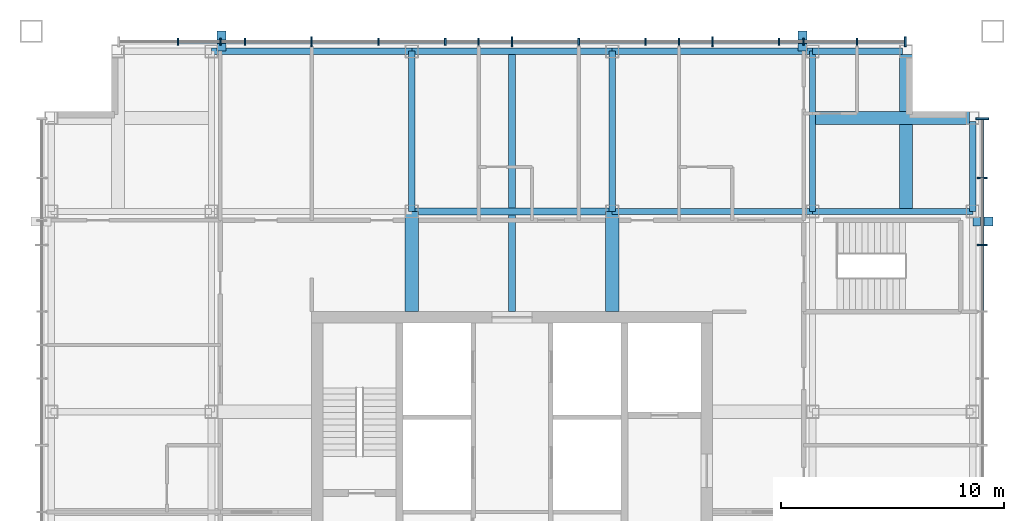
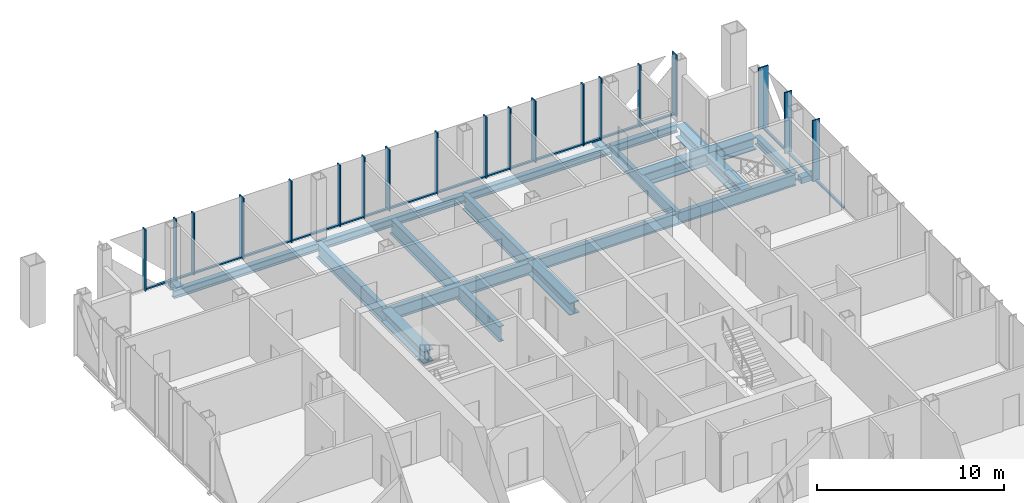
# One storey, part 5 of 11: 40 members, 16 beams, 2 elements without a shape of their own.
"""IFC4 building model written with IfcOpenShell, lengths in metres."""

from ifc_helpers import new_model, si_unit, direction, frame, origin, origin_2d, place, context, subcontext, project, spatial, rectangle, hollow_rectangle, i_section, extrude, material, layer, layer_set, material_profile, profile_set, type_object, element, aggregate, save


model = new_model("IFC4")

# Units and contexts
model_context = context("Model", 3, precision=1e-05, world=origin(), true_north=direction((0.0, 1.0)))
body_context = subcontext(model_context, "Body", "Model", "MODEL_VIEW")
ifc_project = project(units=[si_unit("LENGTHUNIT", "METRE"), si_unit("AREAUNIT", "SQUARE_METRE"), si_unit("VOLUMEUNIT", "CUBIC_METRE"), si_unit("PLANEANGLEUNIT", "RADIAN"), si_unit("MASSUNIT", "GRAM", prefix="KILO")], contexts=[model_context])

# Site, building, storey
site_placement = place(None, origin())
site = spatial("IfcSite", under=ifc_project, at=site_placement, CompositionType="ELEMENT")
building_placement = place(site_placement, origin())
building = spatial("IfcBuilding", under=site, at=building_placement, Name="Malebo Sky Hospital", CompositionType="ELEMENT")
storey_placement = place(building_placement, frame((0.0, 0.0, 282.0)))
storey = spatial("IfcBuildingStorey", under=building, at=storey_placement, Name="L68", CompositionType="ELEMENT", Elevation=282.0)

# Curtain wall, members
ifc_material_1 = material(Name="Anodised aluminium, natural silver", Category="aluminium")
ifc_layer_1 = layer(ifc_material_1, 0.25)
ifc_layer_set_1 = layer_set([ifc_layer_1], Name="WARD CURTAIN WALL NORTH AND SOUTH")
curtain_wall_type_1 = type_object("IfcCurtainWallType", Name="WARD CURTAIN WALL NORTH AND SOUTH", PredefinedType="NOTDEFINED", material=ifc_layer_set_1)
curtain_wall_1_placement = place(storey_placement, origin())
curtain_wall_1 = element("IfcCurtainWall", 1, at=curtain_wall_1_placement, inside=storey, type_object=curtain_wall_type_1, Name="NS curtain wall N", PredefinedType="NOTDEFINED")
ifc_material_profile_1 = material_profile(ifc_material_1, rectangle(XDim=0.14990234375, YDim=0.10009765625, at=origin_2d()), Name="ALUMINIUM TRANSOM 150x100")
ifc_profile_set_1 = profile_set([ifc_material_profile_1], Name="Anodised aluminium, natural silver")
member_type_1 = type_object("IfcMemberType", Name="ALUMINIUM TRANSOM 150x100", PredefinedType="USERDEFINED", material=ifc_profile_set_1)
member_1_placement = place(storey_placement, frame((45.03759765625, 83.125, 0.050048828125), z_axis=(1.0, 0.0, 0.0), x_axis=(0.0, 1.0, 0.0)))
member_1 = element("IfcMember", 2, at=member_1_placement, type_object=member_type_1, Name="Transom 2", ObjectType="TRANSOM", PredefinedType="USERDEFINED", context=body_context, shape_type="SweptSolid", body=[
    extrude(rectangle(XDim=0.14990234375, YDim=0.10009765625, at=origin_2d()), origin(), (0.0, 0.0, 1.0), 1.824951171875),
])
member_2_placement = place(storey_placement, frame((46.9375, 83.125, 0.050048828125), z_axis=(1.0, 0.0, 0.0), x_axis=(0.0, 1.0, 0.0)))
member_2 = element("IfcMember", 3, at=member_2_placement, type_object=member_type_1, Name="Transom 3", ObjectType="TRANSOM", PredefinedType="USERDEFINED", context=body_context, shape_type="SweptSolid", body=[
    extrude(rectangle(XDim=0.14990234375, YDim=0.10009765625, at=origin_2d()), origin(), (0.0, 0.0, 1.0), 1.02490234375),
])
member_3_placement = place(storey_placement, frame((48.03759765625, 83.125, 0.050048828125), z_axis=(1.0, 0.0, 0.0), x_axis=(0.0, 1.0, 0.0)))
member_3 = element("IfcMember", 4, at=member_3_placement, type_object=member_type_1, Name="Transom 4", ObjectType="TRANSOM", PredefinedType="USERDEFINED", context=body_context, shape_type="SweptSolid", body=[
    extrude(rectangle(XDim=0.14990234375, YDim=0.10009765625, at=origin_2d()), origin(), (0.0, 0.0, 1.0), 2.9248046875),
])
member_4_placement = place(storey_placement, frame((51.03759765625, 83.125, 0.050048828125), z_axis=(1.0, 0.0, 0.0), x_axis=(0.0, 1.0, 0.0)))
member_4 = element("IfcMember", 5, at=member_4_placement, type_object=member_type_1, Name="Transom 5", ObjectType="TRANSOM", PredefinedType="USERDEFINED", context=body_context, shape_type="SweptSolid", body=[
    extrude(rectangle(XDim=0.14990234375, YDim=0.10009765625, at=origin_2d()), origin(), (0.0, 0.0, 1.0), 2.9248046875),
])
member_5_placement = place(storey_placement, frame((54.03759765625, 83.125, 0.050048828125), z_axis=(1.0, 0.0, 0.0), x_axis=(0.0, 1.0, 0.0)))
member_5 = element("IfcMember", 6, at=member_5_placement, type_object=member_type_1, Name="Transom 6", ObjectType="TRANSOM", PredefinedType="USERDEFINED", context=body_context, shape_type="SweptSolid", body=[
    extrude(rectangle(XDim=0.14990234375, YDim=0.10009765625, at=origin_2d()), origin(), (0.0, 0.0, 1.0), 2.9248046875),
])
member_6_placement = place(storey_placement, frame((57.03759765625, 83.125, 0.050048828125), z_axis=(1.0, 0.0, 0.0), x_axis=(0.0, 1.0, 0.0)))
member_6 = element("IfcMember", 7, at=member_6_placement, type_object=member_type_1, Name="Transom 7", ObjectType="TRANSOM", PredefinedType="USERDEFINED", context=body_context, shape_type="SweptSolid", body=[
    extrude(rectangle(XDim=0.14990234375, YDim=0.10009765625, at=origin_2d()), origin(), (0.0, 0.0, 1.0), 1.4248046875),
])
member_7_placement = place(storey_placement, frame((58.53759765625, 83.125, 0.050048828125), z_axis=(1.0, 0.0, 0.0), x_axis=(0.0, 1.0, 0.0)))
member_7 = element("IfcMember", 8, at=member_7_placement, type_object=member_type_1, Name="Transom 8", ObjectType="TRANSOM", PredefinedType="USERDEFINED", context=body_context, shape_type="SweptSolid", body=[
    extrude(rectangle(XDim=0.14990234375, YDim=0.10009765625, at=origin_2d()), origin(), (0.0, 0.0, 1.0), 1.4248046875),
])
member_8_placement = place(storey_placement, frame((60.03759765625, 83.125, 0.050048828125), z_axis=(1.0, 0.0, 0.0), x_axis=(0.0, 1.0, 0.0)))
member_8 = element("IfcMember", 9, at=member_8_placement, type_object=member_type_1, Name="Transom 9", ObjectType="TRANSOM", PredefinedType="USERDEFINED", context=body_context, shape_type="SweptSolid", body=[
    extrude(rectangle(XDim=0.14990234375, YDim=0.10009765625, at=origin_2d()), origin(), (0.0, 0.0, 1.0), 2.9248046875),
])
member_9_placement = place(storey_placement, frame((63.03759765625, 83.125, 0.050048828125), z_axis=(1.0, 0.0, 0.0), x_axis=(0.0, 1.0, 0.0)))
member_9 = element("IfcMember", 10, at=member_9_placement, type_object=member_type_1, Name="Transom 10", ObjectType="TRANSOM", PredefinedType="USERDEFINED", context=body_context, shape_type="SweptSolid", body=[
    extrude(rectangle(XDim=0.14990234375, YDim=0.10009765625, at=origin_2d()), origin(), (0.0, 0.0, 1.0), 2.9248046875),
])
member_10_placement = place(storey_placement, frame((66.03759765625, 83.125, 0.050048828125), z_axis=(1.0, 0.0, 0.0), x_axis=(0.0, 1.0, 0.0)))
member_10 = element("IfcMember", 11, at=member_10_placement, type_object=member_type_1, Name="Transom 11", ObjectType="TRANSOM", PredefinedType="USERDEFINED", context=body_context, shape_type="SweptSolid", body=[
    extrude(rectangle(XDim=0.14990234375, YDim=0.10009765625, at=origin_2d()), origin(), (0.0, 0.0, 1.0), 1.4248046875),
])
member_11_placement = place(storey_placement, frame((67.53759765625, 83.125, 0.050048828125), z_axis=(1.0, 0.0, 0.0), x_axis=(0.0, 1.0, 0.0)))
member_11 = element("IfcMember", 12, at=member_11_placement, type_object=member_type_1, Name="Transom 12", ObjectType="TRANSOM", PredefinedType="USERDEFINED", context=body_context, shape_type="SweptSolid", body=[
    extrude(rectangle(XDim=0.14990234375, YDim=0.10009765625, at=origin_2d()), origin(), (0.0, 0.0, 1.0), 1.4248046875),
])
member_12_placement = place(storey_placement, frame((69.03759765625, 83.125, 0.050048828125), z_axis=(1.0, 0.0, 0.0), x_axis=(0.0, 1.0, 0.0)))
member_12 = element("IfcMember", 13, at=member_12_placement, type_object=member_type_1, Name="Transom 13", ObjectType="TRANSOM", PredefinedType="USERDEFINED", context=body_context, shape_type="SweptSolid", body=[
    extrude(rectangle(XDim=0.14990234375, YDim=0.10009765625, at=origin_2d()), origin(), (0.0, 0.0, 1.0), 2.9248046875),
])
member_13_placement = place(storey_placement, frame((72.03759765625, 83.125, 0.050048828125), z_axis=(1.0, 0.0, 0.0), x_axis=(0.0, 1.0, 0.0)))
member_13 = element("IfcMember", 14, at=member_13_placement, type_object=member_type_1, Name="Transom 14", ObjectType="TRANSOM", PredefinedType="USERDEFINED", context=body_context, shape_type="SweptSolid", body=[
    extrude(rectangle(XDim=0.14990234375, YDim=0.10009765625, at=origin_2d()), origin(), (0.0, 0.0, 1.0), 1.02490234375),
])
member_14_placement = place(storey_placement, frame((73.137451171875, 83.125, 0.050048828125), z_axis=(1.0, 0.0, 0.0), x_axis=(0.0, 1.0, 0.0)))
member_14 = element("IfcMember", 15, at=member_14_placement, type_object=member_type_1, Name="Transom 15", ObjectType="TRANSOM", PredefinedType="USERDEFINED", context=body_context, shape_type="SweptSolid", body=[
    extrude(rectangle(XDim=0.14990234375, YDim=0.10009765625, at=origin_2d()), origin(), (0.0, 0.0, 1.0), 2.324951171875),
])
member_15_placement = place(storey_placement, frame((75.53759765625, 83.125, 0.050048828125), z_axis=(1.0, 0.0, 0.0), x_axis=(0.0, 1.0, 0.0)))
member_15 = element("IfcMember", 16, at=member_15_placement, type_object=member_type_1, Name="Transom 16", ObjectType="TRANSOM", PredefinedType="USERDEFINED", context=body_context, shape_type="SweptSolid", body=[
    extrude(rectangle(XDim=0.14990234375, YDim=0.10009765625, at=origin_2d()), origin(), (0.0, 0.0, 1.0), 2.08740234375),
])

ifc_layer_2 = layer(ifc_material_1, 0.25)
ifc_layer_set_2 = layer_set([ifc_layer_2], Name="WARD CURTAIN WALL EAST AND WEST")
curtain_wall_type_2 = type_object("IfcCurtainWallType", Name="WARD CURTAIN WALL EAST AND WEST", PredefinedType="NOTDEFINED", material=ifc_layer_set_2)
curtain_wall_2_placement = place(storey_placement, origin())
curtain_wall_2 = element("IfcCurtainWall", 17, at=curtain_wall_2_placement, inside=storey, type_object=curtain_wall_type_2, Name="EW curtain wall E", PredefinedType="NOTDEFINED")
member_16_placement = place(storey_placement, frame((81.125, 79.625, 0.050048828125), z_axis=(0.0, -1.0, 0.0), x_axis=(1.0, 0.0, 0.0)))
member_16 = element("IfcMember", 18, at=member_16_placement, type_object=member_type_1, Name="Transom 1", ObjectType="TRANSOM", PredefinedType="USERDEFINED", context=body_context, shape_type="SweptSolid", body=[
    extrude(rectangle(XDim=0.14990234375, YDim=0.10009765625, at=origin_2d()), origin(), (0.0, 0.0, 1.0), 2.58740234375),
])
member_17_placement = place(storey_placement, frame((81.125, 76.96240234375, 0.050048828125), z_axis=(0.0, -1.0, 0.0), x_axis=(1.0, 0.0, 0.0)))
member_17 = element("IfcMember", 19, at=member_17_placement, type_object=member_type_1, Name="Transom 2", ObjectType="TRANSOM", PredefinedType="USERDEFINED", context=body_context, shape_type="SweptSolid", body=[
    extrude(rectangle(XDim=0.14990234375, YDim=0.10009765625, at=origin_2d()), origin(), (0.0, 0.0, 1.0), 2.9248046875),
])
member_18_placement = place(storey_placement, frame((81.125, 73.96240234375, 0.050048828125), z_axis=(0.0, -1.0, 0.0), x_axis=(1.0, 0.0, 0.0)))
member_18 = element("IfcMember", 20, at=member_18_placement, type_object=member_type_1, Name="Transom 3", ObjectType="TRANSOM", PredefinedType="USERDEFINED", context=body_context, shape_type="SweptSolid", body=[
    extrude(rectangle(XDim=0.14990234375, YDim=0.10009765625, at=origin_2d()), origin(), (0.0, 0.0, 1.0), 2.9248046875),
])

# Members
ifc_material_2 = material(Name="Steel S355", Category="steel")
ifc_material_profile_2 = material_profile(ifc_material_2, hollow_rectangle(XDim=0.39990234375, YDim=0.39990234375, WallThickness=0.02001953125, at=origin_2d()), Name="SHS 400x20")
ifc_profile_set_2 = profile_set([ifc_material_profile_2], Name="Steel S355")
member_type_2 = type_object("IfcMemberType", Name="BRACE STRUT SHS 400x20", PredefinedType="STRUT", material=ifc_profile_set_2)
for number, where, z_axis, x_axis, name in (
    (21, (46.94384765625, 83.60009765625, -0.39990234375), (0.0, -1.0, 0.0), (1.0, 0.0, 0.0), "Brace strut DN1 L68"),
    (22, (73.05615234375, 83.60009765625, -0.39990234375), (0.0, -1.0, 0.0), (1.0, 0.0, 0.0), "Brace strut DN2 L68"),
    (23, (81.60009765625, 75.05615234375, -0.39990234375), (-1.0, 0.0, 0.0), (0.0, -1.0, 0.0), "Brace strut DE1 L68"),
):
    element("IfcMember", number, at=place(storey_placement, frame(where, z_axis=z_axis, x_axis=x_axis)), inside=storey, type_object=member_type_2, Name=name, PredefinedType="STRUT", context=body_context, shape_type="SweptSolid", body=[
        extrude(hollow_rectangle(XDim=0.39990234375, YDim=0.39990234375, WallThickness=0.02001953125, at=origin_2d()), origin(), (0.0, 0.0, 1.0), 0.900146484375),
    ])

# Member
ifc_material_profile_3 = material_profile(ifc_material_1, rectangle(XDim=0.074951171875, YDim=0.300048828125, at=origin_2d()), Name="CW1 ALUMINIUM FIN MULLION 75x300")
ifc_profile_set_3 = profile_set([ifc_material_profile_3], Name="Anodised aluminium, natural silver")
member_type_3 = type_object("IfcMemberType", Name="CW1 ALUMINIUM FIN MULLION 75x300", PredefinedType="MULLION", material=ifc_profile_set_3)
member_19_placement = place(storey_placement, frame((45.0, 83.125, 0.0), z_axis=(0.0, 0.0, 1.0), x_axis=(1.0, 0.0, 0.0)))
member_19 = element("IfcMember", 24, at=member_19_placement, type_object=member_type_3, Name="Fin mullion 2", PredefinedType="MULLION", context=body_context, shape_type="SweptSolid", body=[
    extrude(rectangle(XDim=0.074951171875, YDim=0.300048828125, at=origin_2d()), origin(), (0.0, 0.0, 1.0), 4.0),
])

member_20_placement = place(storey_placement, frame((46.89990234375, 83.125, 0.0), z_axis=(0.0, 0.0, 1.0), x_axis=(1.0, 0.0, 0.0)))
member_20 = element("IfcMember", 25, at=member_20_placement, type_object=member_type_3, Name="Fin mullion 3", PredefinedType="MULLION", context=body_context, shape_type="SweptSolid", body=[
    extrude(rectangle(XDim=0.074951171875, YDim=0.300048828125, at=origin_2d()), origin(), (0.0, 0.0, 1.0), 4.0),
])

member_21_placement = place(storey_placement, frame((48.0, 83.125, 0.0), z_axis=(0.0, 0.0, 1.0), x_axis=(1.0, 0.0, 0.0)))
member_21 = element("IfcMember", 26, at=member_21_placement, type_object=member_type_3, Name="Fin mullion 4", PredefinedType="MULLION", context=body_context, shape_type="SweptSolid", body=[
    extrude(rectangle(XDim=0.074951171875, YDim=0.300048828125, at=origin_2d()), origin(), (0.0, 0.0, 1.0), 4.0),
])

member_22_placement = place(storey_placement, frame((54.0, 83.125, 0.0), z_axis=(0.0, 0.0, 1.0), x_axis=(1.0, 0.0, 0.0)))
member_22 = element("IfcMember", 27, at=member_22_placement, type_object=member_type_3, Name="Fin mullion 6", PredefinedType="MULLION", context=body_context, shape_type="SweptSolid", body=[
    extrude(rectangle(XDim=0.074951171875, YDim=0.300048828125, at=origin_2d()), origin(), (0.0, 0.0, 1.0), 4.0),
])

member_23_placement = place(storey_placement, frame((57.0, 83.125, 0.0), z_axis=(0.0, 0.0, 1.0), x_axis=(1.0, 0.0, 0.0)))
member_23 = element("IfcMember", 28, at=member_23_placement, type_object=member_type_3, Name="Fin mullion 7", PredefinedType="MULLION", context=body_context, shape_type="SweptSolid", body=[
    extrude(rectangle(XDim=0.074951171875, YDim=0.300048828125, at=origin_2d()), origin(), (0.0, 0.0, 1.0), 4.0),
])

member_24_placement = place(storey_placement, frame((58.5, 83.125, 0.0), z_axis=(0.0, 0.0, 1.0), x_axis=(1.0, 0.0, 0.0)))
member_24 = element("IfcMember", 29, at=member_24_placement, type_object=member_type_3, Name="Fin mullion 8", PredefinedType="MULLION", context=body_context, shape_type="SweptSolid", body=[
    extrude(rectangle(XDim=0.074951171875, YDim=0.300048828125, at=origin_2d()), origin(), (0.0, 0.0, 1.0), 4.0),
])

member_25_placement = place(storey_placement, frame((63.0, 83.125, 0.0), z_axis=(0.0, 0.0, 1.0), x_axis=(1.0, 0.0, 0.0)))
member_25 = element("IfcMember", 30, at=member_25_placement, type_object=member_type_3, Name="Fin mullion 10", PredefinedType="MULLION", context=body_context, shape_type="SweptSolid", body=[
    extrude(rectangle(XDim=0.074951171875, YDim=0.300048828125, at=origin_2d()), origin(), (0.0, 0.0, 1.0), 4.0),
])

member_26_placement = place(storey_placement, frame((66.0, 83.125, 0.0), z_axis=(0.0, 0.0, 1.0), x_axis=(1.0, 0.0, 0.0)))
member_26 = element("IfcMember", 31, at=member_26_placement, type_object=member_type_3, Name="Fin mullion 11", PredefinedType="MULLION", context=body_context, shape_type="SweptSolid", body=[
    extrude(rectangle(XDim=0.074951171875, YDim=0.300048828125, at=origin_2d()), origin(), (0.0, 0.0, 1.0), 4.0),
])

member_27_placement = place(storey_placement, frame((67.5, 83.125, 0.0), z_axis=(0.0, 0.0, 1.0), x_axis=(1.0, 0.0, 0.0)))
member_27 = element("IfcMember", 32, at=member_27_placement, type_object=member_type_3, Name="Fin mullion 12", PredefinedType="MULLION", context=body_context, shape_type="SweptSolid", body=[
    extrude(rectangle(XDim=0.074951171875, YDim=0.300048828125, at=origin_2d()), origin(), (0.0, 0.0, 1.0), 4.0),
])

member_28_placement = place(storey_placement, frame((72.0, 83.125, 0.0), z_axis=(0.0, 0.0, 1.0), x_axis=(1.0, 0.0, 0.0)))
member_28 = element("IfcMember", 33, at=member_28_placement, type_object=member_type_3, Name="Fin mullion 14", PredefinedType="MULLION", context=body_context, shape_type="SweptSolid", body=[
    extrude(rectangle(XDim=0.074951171875, YDim=0.300048828125, at=origin_2d()), origin(), (0.0, 0.0, 1.0), 4.0),
])

member_29_placement = place(storey_placement, frame((73.10009765625, 83.125, 0.0), z_axis=(0.0, 0.0, 1.0), x_axis=(1.0, 0.0, 0.0)))
member_29 = element("IfcMember", 34, at=member_29_placement, type_object=member_type_3, Name="Fin mullion 15", PredefinedType="MULLION", context=body_context, shape_type="SweptSolid", body=[
    extrude(rectangle(XDim=0.074951171875, YDim=0.300048828125, at=origin_2d()), origin(), (0.0, 0.0, 1.0), 4.0),
])

member_30_placement = place(storey_placement, frame((75.5, 83.125, 0.0), z_axis=(0.0, 0.0, 1.0), x_axis=(1.0, 0.0, 0.0)))
member_30 = element("IfcMember", 35, at=member_30_placement, type_object=member_type_3, Name="Fin mullion 16", PredefinedType="MULLION", context=body_context, shape_type="SweptSolid", body=[
    extrude(rectangle(XDim=0.074951171875, YDim=0.300048828125, at=origin_2d()), origin(), (0.0, 0.0, 1.0), 4.0),
])

ifc_material_profile_4 = material_profile(ifc_material_1, rectangle(XDim=0.074951171875, YDim=0.449951171875, at=origin_2d()), Name="CW1 ALUMINIUM FIN MULLION 75x450")
ifc_profile_set_4 = profile_set([ifc_material_profile_4], Name="Anodised aluminium, natural silver")
member_type_4 = type_object("IfcMemberType", Name="CW1 ALUMINIUM FIN MULLION 75x450", PredefinedType="MULLION", material=ifc_profile_set_4)
member_31_placement = place(storey_placement, frame((51.0, 83.125, 0.0), z_axis=(0.0, 0.0, 1.0), x_axis=(1.0, 0.0, 0.0)))
member_31 = element("IfcMember", 36, at=member_31_placement, type_object=member_type_4, Name="Fin mullion 5", PredefinedType="MULLION", context=body_context, shape_type="SweptSolid", body=[
    extrude(rectangle(XDim=0.074951171875, YDim=0.449951171875, at=origin_2d()), origin(), (0.0, 0.0, 1.0), 4.0),
])

member_32_placement = place(storey_placement, frame((60.0, 83.125, 0.0), z_axis=(0.0, 0.0, 1.0), x_axis=(1.0, 0.0, 0.0)))
member_32 = element("IfcMember", 37, at=member_32_placement, type_object=member_type_4, Name="Fin mullion 9", PredefinedType="MULLION", context=body_context, shape_type="SweptSolid", body=[
    extrude(rectangle(XDim=0.074951171875, YDim=0.449951171875, at=origin_2d()), origin(), (0.0, 0.0, 1.0), 4.0),
])

member_33_placement = place(storey_placement, frame((69.0, 83.125, 0.0), z_axis=(0.0, 0.0, 1.0), x_axis=(1.0, 0.0, 0.0)))
member_33 = element("IfcMember", 38, at=member_33_placement, type_object=member_type_4, Name="Fin mullion 13", PredefinedType="MULLION", context=body_context, shape_type="SweptSolid", body=[
    extrude(rectangle(XDim=0.074951171875, YDim=0.449951171875, at=origin_2d()), origin(), (0.0, 0.0, 1.0), 4.0),
])

member_34_placement = place(storey_placement, frame((77.66259765625, 83.125, 0.0), z_axis=(0.0, 0.0, 1.0), x_axis=(1.0, 0.0, 0.0)))
member_34 = element("IfcMember", 39, at=member_34_placement, type_object=member_type_4, Name="Fin mullion 17", PredefinedType="MULLION", context=body_context, shape_type="SweptSolid", body=[
    extrude(rectangle(XDim=0.074951171875, YDim=0.449951171875, at=origin_2d()), origin(), (0.0, 0.0, 1.0), 4.0),
])

aggregate(curtain_wall_1, [member_19, member_20, member_21, member_31, member_22, member_23, member_24, member_32, member_25, member_26, member_27, member_33, member_28, member_29, member_30, member_34, member_1, member_2, member_3, member_4, member_5, member_6, member_7, member_8, member_9, member_10, member_11, member_12, member_13, member_14, member_15])

ifc_material_profile_5 = material_profile(ifc_material_1, rectangle(XDim=0.074951171875, YDim=0.449951171875, at=origin_2d()), Name="CW2 ALUMINIUM FIN MULLION 75x450")
ifc_profile_set_5 = profile_set([ifc_material_profile_5], Name="Anodised aluminium, natural silver")
member_type_5 = type_object("IfcMemberType", Name="CW2 ALUMINIUM FIN MULLION 75x450", PredefinedType="MULLION", material=ifc_profile_set_5)
member_35_placement = place(storey_placement, frame((81.125, 77.0, 0.0), z_axis=(0.0, 0.0, 1.0), x_axis=(0.0, -1.0, 0.0)))
member_35 = element("IfcMember", 40, at=member_35_placement, type_object=member_type_5, Name="Fin mullion 2", PredefinedType="MULLION", context=body_context, shape_type="SweptSolid", body=[
    extrude(rectangle(XDim=0.074951171875, YDim=0.449951171875, at=origin_2d()), origin(), (0.0, 0.0, 1.0), 4.0),
])

member_36_placement = place(storey_placement, frame((81.125, 74.0, 0.0), z_axis=(0.0, 0.0, 1.0), x_axis=(0.0, -1.0, 0.0)))
member_36 = element("IfcMember", 41, at=member_36_placement, type_object=member_type_5, Name="Fin mullion 3", PredefinedType="MULLION", context=body_context, shape_type="SweptSolid", body=[
    extrude(rectangle(XDim=0.074951171875, YDim=0.449951171875, at=origin_2d()), origin(), (0.0, 0.0, 1.0), 4.0),
])

ifc_material_profile_6 = material_profile(ifc_material_1, rectangle(XDim=0.074951171875, YDim=0.60009765625, at=origin_2d()), Name="CW2 ALUMINIUM FIN MULLION 75x600")
ifc_profile_set_6 = profile_set([ifc_material_profile_6], Name="Anodised aluminium, natural silver")
member_type_6 = type_object("IfcMemberType", Name="CW2 ALUMINIUM FIN MULLION 75x600", PredefinedType="MULLION", material=ifc_profile_set_6)
member_37_placement = place(storey_placement, frame((81.125, 79.66259765625, 0.0), z_axis=(0.0, 0.0, 1.0), x_axis=(0.0, -1.0, 0.0)))
member_37 = element("IfcMember", 42, at=member_37_placement, type_object=member_type_6, Name="Fin mullion 1", PredefinedType="MULLION", context=body_context, shape_type="SweptSolid", body=[
    extrude(rectangle(XDim=0.074951171875, YDim=0.60009765625, at=origin_2d()), origin(), (0.0, 0.0, 1.0), 4.0),
])

aggregate(curtain_wall_2, [member_37, member_35, member_36, member_16, member_17, member_18])

# Beams
ifc_material_profile_7 = material_profile(ifc_material_2, i_section(OverallWidth=0.305908203125, OverallDepth=0.52392578125, WebThickness=0.02099609375, FlangeThickness=0.0400390625, FilletRadius=0.027099609375, at=origin_2d()), Name="HEM 500")
ifc_profile_set_7 = profile_set([ifc_material_profile_7], Name="Steel S355")
beam_type_1 = type_object("IfcBeamType", Name="EDGE BEAM HEM 500", PredefinedType="BEAM", material=ifc_profile_set_7)
beam_1_placement = place(storey_placement, frame((80.699951171875, 75.5, -0.511962890625), z_axis=(0.0, 1.0, 0.0), x_axis=(-1.0, 0.0, 0.0)))
element("IfcBeam", 43, at=beam_1_placement, inside=storey, type_object=beam_type_1, Name="Beam 033 L68", PredefinedType="BEAM", context=body_context, shape_type="SweptSolid", body=[
    extrude(i_section(OverallWidth=0.305908203125, OverallDepth=0.52392578125, WebThickness=0.02099609375, FlangeThickness=0.0400390625, FilletRadius=0.027099609375, at=origin_2d()), origin(), (0.0, 0.0, 1.0), 4.050048828125),
])
for number, where, z_axis, x_axis, name in (
    (44, (46.5, 82.699951171875, -0.511962890625), (1.0, 0.0, 0.0), (0.0, 1.0, 0.0), "Beam 064 L68"),
    (45, (55.5, 82.699951171875, -0.511962890625), (1.0, 0.0, 0.0), (0.0, 1.0, 0.0), "Beam 065 L68"),
    (46, (64.5, 82.699951171875, -0.511962890625), (1.0, 0.0, 0.0), (0.0, 1.0, 0.0), "Beam 066 L68"),
):
    element("IfcBeam", number, at=place(storey_placement, frame(where, z_axis=z_axis, x_axis=x_axis)), inside=storey, type_object=beam_type_1, Name=name, PredefinedType="BEAM", context=body_context, shape_type="SweptSolid", body=[
        extrude(i_section(OverallWidth=0.305908203125, OverallDepth=0.52392578125, WebThickness=0.02099609375, FlangeThickness=0.0400390625, FilletRadius=0.027099609375, at=origin_2d()), origin(), (0.0, 0.0, 1.0), 9.0),
    ])
beam_2_placement = place(storey_placement, frame((73.5, 82.699951171875, -0.511962890625), z_axis=(1.0, 0.0, 0.0), x_axis=(0.0, 1.0, 0.0)))
element("IfcBeam", 47, at=beam_2_placement, inside=storey, type_object=beam_type_1, Name="Beam 067 L68", PredefinedType="BEAM", context=body_context, shape_type="SweptSolid", body=[
    extrude(i_section(OverallWidth=0.305908203125, OverallDepth=0.52392578125, WebThickness=0.02099609375, FlangeThickness=0.0400390625, FilletRadius=0.027099609375, at=origin_2d()), origin(), (0.0, 0.0, 1.0), 4.050048828125),
])
ifc_material_profile_8 = material_profile(ifc_material_2, i_section(OverallWidth=0.300048828125, OverallDepth=1.0, WebThickness=0.01904296875, FlangeThickness=0.035888671875, FilletRadius=0.030029296875, at=origin_2d()), Name="HEB 1000")
ifc_profile_set_8 = profile_set([ifc_material_profile_8], Name="Steel S355")
beam_type_2 = type_object("IfcBeamType", Name="FLOOR BEAM HEB 1000", PredefinedType="BEAM", material=ifc_profile_set_8)
beam_3_placement = place(storey_placement, frame((55.5, 75.5, -0.75), z_axis=(0.0, 1.0, 0.0), x_axis=(-1.0, 0.0, 0.0)))
element("IfcBeam", 48, at=beam_3_placement, inside=storey, type_object=beam_type_2, Name="Beam 015 L68", PredefinedType="BEAM", context=body_context, shape_type="SweptSolid", body=[
    extrude(i_section(OverallWidth=0.300048828125, OverallDepth=1.0, WebThickness=0.01904296875, FlangeThickness=0.035888671875, FilletRadius=0.030029296875, at=origin_2d()), origin(), (0.0, 0.0, 1.0), 7.199951171875),
])
beam_4_placement = place(storey_placement, frame((60.0, 71.0, -0.75), z_axis=(0.0, 1.0, 0.0), x_axis=(-1.0, 0.0, 0.0)))
element("IfcBeam", 49, at=beam_4_placement, inside=storey, type_object=beam_type_2, Name="Beam 017 L68", PredefinedType="BEAM", context=body_context, shape_type="SweptSolid", body=[
    extrude(i_section(OverallWidth=0.300048828125, OverallDepth=1.0, WebThickness=0.01904296875, FlangeThickness=0.035888671875, FilletRadius=0.030029296875, at=origin_2d()), origin(), (0.0, 0.0, 1.0), 11.699951171875),
])
beam_5_placement = place(storey_placement, frame((64.5, 75.5, -0.75), z_axis=(0.0, 1.0, 0.0), x_axis=(-1.0, 0.0, 0.0)))
element("IfcBeam", 50, at=beam_5_placement, inside=storey, type_object=beam_type_2, Name="Beam 021 L68", PredefinedType="BEAM", context=body_context, shape_type="SweptSolid", body=[
    extrude(i_section(OverallWidth=0.300048828125, OverallDepth=1.0, WebThickness=0.01904296875, FlangeThickness=0.035888671875, FilletRadius=0.030029296875, at=origin_2d()), origin(), (0.0, 0.0, 1.0), 7.199951171875),
])
ifc_material_profile_9 = material_profile(ifc_material_2, i_section(OverallWidth=0.26708984375, OverallDepth=0.761962890625, WebThickness=0.014404296875, FlangeThickness=0.021484375, FilletRadius=0.01708984375, at=origin_2d()), Name="IPE 750x173")
ifc_profile_set_9 = profile_set([ifc_material_profile_9], Name="Steel S355")
beam_type_3 = type_object("IfcBeamType", Name="FLOOR BEAM IPE 750x173", PredefinedType="BEAM", material=ifc_profile_set_9)
beam_6_placement = place(storey_placement, frame((64.5, 75.5, -0.631103515625), z_axis=(1.0, 0.0, 0.0), x_axis=(0.0, 1.0, 0.0)))
element("IfcBeam", 51, at=beam_6_placement, inside=storey, type_object=beam_type_3, Name="Beam 059 L68", PredefinedType="BEAM", context=body_context, shape_type="SweptSolid", body=[
    extrude(i_section(OverallWidth=0.26708984375, OverallDepth=0.761962890625, WebThickness=0.014404296875, FlangeThickness=0.021484375, FilletRadius=0.01708984375, at=origin_2d()), origin(), (0.0, 0.0, 1.0), 9.0),
])
ifc_material_profile_10 = material_profile(ifc_material_2, i_section(OverallWidth=0.60009765625, OverallDepth=0.800048828125, WebThickness=0.0400390625, FlangeThickness=0.06005859375, at=origin_2d()), Name="PG 800x600x40x60")
ifc_profile_set_10 = profile_set([ifc_material_profile_10], Name="Steel S355")
beam_type_4 = type_object("IfcBeamType", Name="FLOOR BEAM PG 800x600x40x60", PredefinedType="BEAM", material=ifc_profile_set_10)
for number, where, z_axis, x_axis, name in (
    (52, (55.5, 71.0, -0.64990234375), (0.0, 1.0, 0.0), (-1.0, 0.0, 0.0), "Beam 014 L68"),
    (53, (64.5, 71.0, -0.64990234375), (0.0, 1.0, 0.0), (-1.0, 0.0, 0.0), "Beam 020 L68"),
):
    element("IfcBeam", number, at=place(storey_placement, frame(where, z_axis=z_axis, x_axis=x_axis)), inside=storey, type_object=beam_type_4, Name=name, PredefinedType="BEAM", context=body_context, shape_type="SweptSolid", body=[
        extrude(i_section(OverallWidth=0.60009765625, OverallDepth=0.800048828125, WebThickness=0.0400390625, FlangeThickness=0.06005859375, at=origin_2d()), origin(), (0.0, 0.0, 1.0), 4.5),
    ])
for number, where, z_axis, x_axis, name in (
    (54, (77.699951171875, 75.5, -0.64990234375), (0.0, 1.0, 0.0), (-1.0, 0.0, 0.0), "Beam 028 L68"),
    (55, (73.5, 79.699951171875, -0.64990234375), (1.0, 0.0, 0.0), (0.0, 1.0, 0.0), "Beam 062 L68"),
):
    element("IfcBeam", number, at=place(storey_placement, frame(where, z_axis=z_axis, x_axis=x_axis)), inside=storey, type_object=beam_type_4, Name=name, PredefinedType="BEAM", context=body_context, shape_type="SweptSolid", body=[
        extrude(i_section(OverallWidth=0.60009765625, OverallDepth=0.800048828125, WebThickness=0.0400390625, FlangeThickness=0.06005859375, at=origin_2d()), origin(), (0.0, 0.0, 1.0), 7.050048828125),
    ])
ifc_material_profile_11 = material_profile(ifc_material_2, i_section(OverallWidth=0.262939453125, OverallDepth=0.7529296875, WebThickness=0.011474609375, FlangeThickness=0.01708984375, FilletRadius=0.01708984375, at=origin_2d()), Name="IPE 750x137")
ifc_profile_set_11 = profile_set([ifc_material_profile_11], Name="Steel S355")
beam_type_5 = type_object("IfcBeamType", Name="FLOOR GIRDER IPE 750x137", PredefinedType="BEAM", material=ifc_profile_set_11)
for number, where, z_axis, x_axis, name in (
    (56, (73.5, 75.5, -0.62646484375), (0.0, 1.0, 0.0), (-1.0, 0.0, 0.0), "Beam 026 L68"),
    (57, (73.5, 75.5, -0.62646484375), (1.0, 0.0, 0.0), (0.0, 1.0, 0.0), "Beam 060 L68"),
):
    element("IfcBeam", number, at=place(storey_placement, frame(where, z_axis=z_axis, x_axis=x_axis)), inside=storey, type_object=beam_type_5, Name=name, PredefinedType="BEAM", context=body_context, shape_type="SweptSolid", body=[
        extrude(i_section(OverallWidth=0.262939453125, OverallDepth=0.7529296875, WebThickness=0.011474609375, FlangeThickness=0.01708984375, FilletRadius=0.01708984375, at=origin_2d()), origin(), (0.0, 0.0, 1.0), 7.199951171875),
    ])
ifc_material_profile_12 = material_profile(ifc_material_2, i_section(OverallWidth=0.300048828125, OverallDepth=0.800048828125, WebThickness=0.017578125, FlangeThickness=0.032958984375, FilletRadius=0.030029296875, at=origin_2d()), Name="HEB 800")
ifc_profile_set_12 = profile_set([ifc_material_profile_12], Name="Steel S355")
beam_type_6 = type_object("IfcBeamType", Name="RING GIRDER HEB 800", PredefinedType="BEAM", material=ifc_profile_set_12)
beam_7_placement = place(storey_placement, frame((55.5, 75.5, -0.64990234375), z_axis=(1.0, 0.0, 0.0), x_axis=(0.0, 1.0, 0.0)))
element("IfcBeam", 58, at=beam_7_placement, inside=storey, type_object=beam_type_6, Name="Beam 058 L68", PredefinedType="BEAM", context=body_context, shape_type="SweptSolid", body=[
    extrude(i_section(OverallWidth=0.300048828125, OverallDepth=0.800048828125, WebThickness=0.017578125, FlangeThickness=0.032958984375, FilletRadius=0.030029296875, at=origin_2d()), origin(), (0.0, 0.0, 1.0), 9.0),
])

save(model, "model.ifc")
